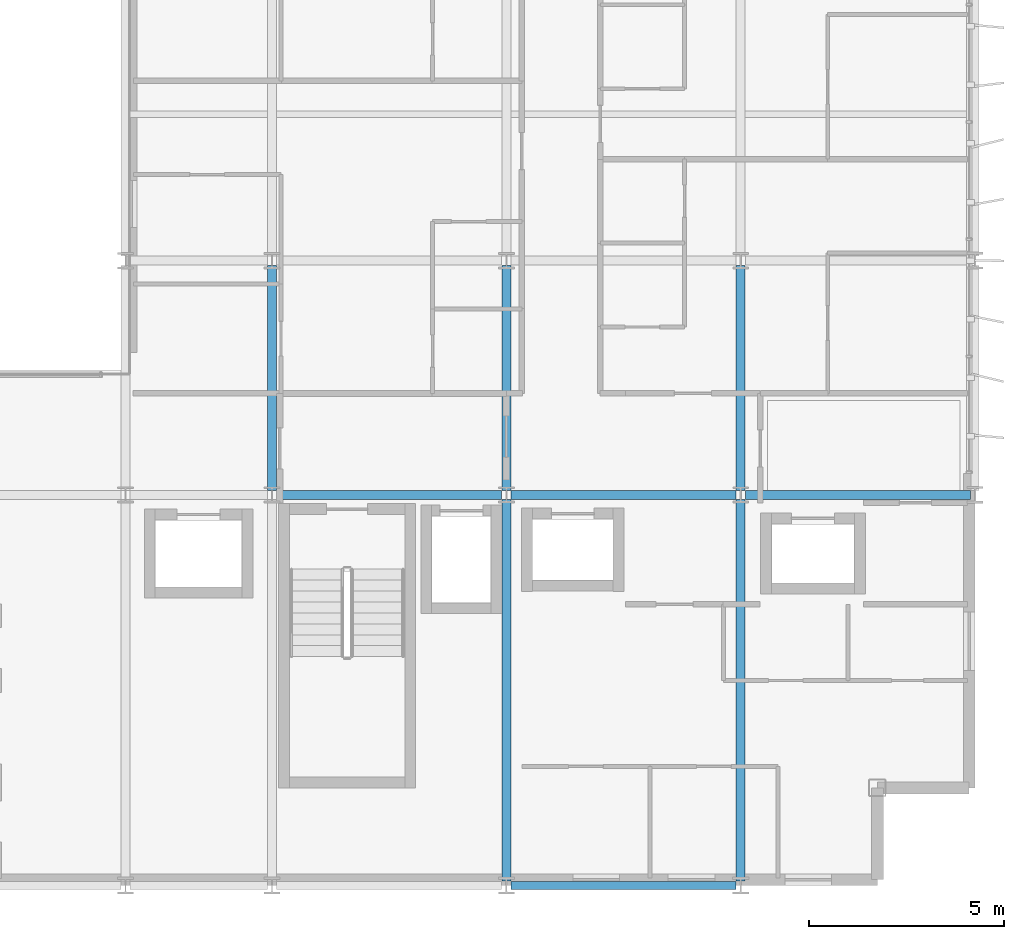
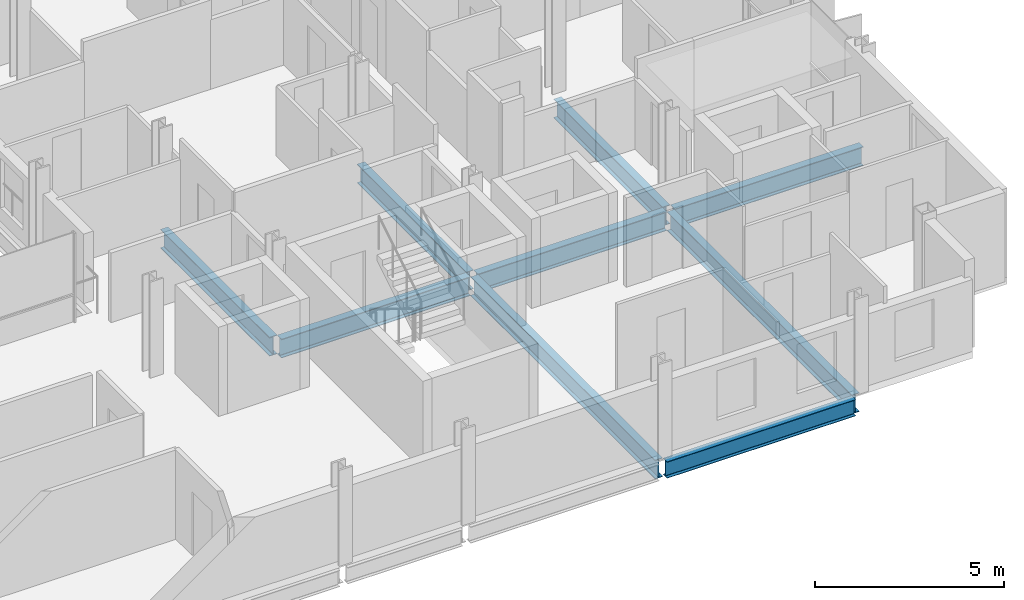
# One storey, part 14 of 38: 9 beams.
"""IFC4 building model written with IfcOpenShell, lengths in metres."""

from ifc_helpers import new_model, si_unit, direction, frame, origin, origin_2d, place, context, subcontext, project, spatial, i_section, extrude, material, material_profile, profile_set, type_object, element, save


model = new_model("IFC4")

# Units and contexts
model_context = context("Model", 3, precision=1e-05, world=origin(), true_north=direction((0.0, 1.0)))
body_context = subcontext(model_context, "Body", "Model", "MODEL_VIEW")
ifc_project = project(units=[si_unit("LENGTHUNIT", "METRE"), si_unit("AREAUNIT", "SQUARE_METRE"), si_unit("VOLUMEUNIT", "CUBIC_METRE"), si_unit("PLANEANGLEUNIT", "RADIAN"), si_unit("MASSUNIT", "GRAM", prefix="KILO")], contexts=[model_context])

# Site, building, storey
site_placement = place(None, origin())
site = spatial("IfcSite", under=ifc_project, at=site_placement, CompositionType="ELEMENT")
building_placement = place(site_placement, origin())
building = spatial("IfcBuilding", under=site, at=building_placement, Name="Brevholm Reach", CompositionType="ELEMENT")
storey_placement = place(building_placement, frame((0.0, 0.0, 122.10009765625)))
storey = spatial("IfcBuildingStorey", under=building, at=storey_placement, Name="L36", CompositionType="ELEMENT", Elevation=122.10009765625)

# Beams
ifc_material_1 = material(Name="Structural Steel S355J2", Category="steel")
ifc_material_profile_1 = material_profile(ifc_material_1, i_section(OverallWidth=0.209228515625, OverallDepth=0.533203125, WebThickness=0.010009765625, FlangeThickness=0.015625, FilletRadius=0.0126953125, at=origin_2d()), Name="UKB 533x210x92")
ifc_profile_set_1 = profile_set([ifc_material_profile_1], Name="Structural Steel S355J2")
beam_type_1 = type_object("IfcBeamType", Name="BM-SP533", PredefinedType="SPANDREL", material=ifc_profile_set_1)
beam_1_placement = place(storey_placement, frame((48.1201171875, 0.0, -0.486572265625), z_axis=(1.0, 0.0, 0.0), x_axis=(0.0, 1.0, 0.0)))
element("IfcBeam", 1, at=beam_1_placement, inside=storey, type_object=beam_type_1, Name="L36 SP-02 Framing Beam", PredefinedType="SPANDREL", context=body_context, shape_type="SweptSolid", body=[
    extrude(i_section(OverallWidth=0.209228515625, OverallDepth=0.533203125, WebThickness=0.010009765625, FlangeThickness=0.015625, FilletRadius=0.0126953125, at=origin_2d()), origin(), (0.0, 0.0, 1.0), 5.759765625),
])
ifc_material_2 = material(Name="Structural Steel S355J2", Category="steel")
ifc_material_profile_2 = material_profile(ifc_material_2, i_section(OverallWidth=0.22900390625, OverallDepth=0.6123046875, WebThickness=0.011962890625, FlangeThickness=0.01953125, FilletRadius=0.0126953125, at=origin_2d()), Name="UKB 610x229x125")
ifc_profile_set_2 = profile_set([ifc_material_profile_2], Name="Structural Steel S355J2")
beam_type_2 = type_object("IfcBeamType", Name="BM-SP610", PredefinedType="SPANDREL", material=ifc_profile_set_2)
for number, where, z_axis, x_axis, name in (
    (2, (42.1201171875, 10.0, -0.526123046875), (1.0, 0.0, 0.0), (0.0, 1.0, 0.0), "L36 SP-01 Framing Beam"),
    (3, (48.1201171875, 10.0, -0.526123046875), (1.0, 0.0, 0.0), (0.0, 1.0, 0.0), "L36 SP-01 Framing Beam"),
    (4, (54.1201171875, 10.0, -0.526123046875), (1.0, 0.0, 0.0), (0.0, 1.0, 0.0), "L36 SP-01 Framing Beam"),
    (5, (42.0, 10.1201171875, -0.526123046875), (0.0, 1.0, 0.0), (-1.0, 0.0, 0.0), "L36 SP-01 Framing Beam"),
):
    element("IfcBeam", number, at=place(storey_placement, frame(where, z_axis=z_axis, x_axis=x_axis)), inside=storey, type_object=beam_type_2, Name=name, PredefinedType="SPANDREL", context=body_context, shape_type="SweptSolid", body=[
        extrude(i_section(OverallWidth=0.22900390625, OverallDepth=0.6123046875, WebThickness=0.011962890625, FlangeThickness=0.01953125, FilletRadius=0.0126953125, at=origin_2d()), origin(), (0.0, 0.0, 1.0), 5.759765625),
    ])
beam_2_placement = place(storey_placement, frame((48.0, 0.1201171875, -0.526123046875), z_axis=(0.0, 1.0, 0.0), x_axis=(-1.0, 0.0, 0.0)))
element("IfcBeam", 6, at=beam_2_placement, inside=storey, type_object=beam_type_2, Name="L36 SP-01 Framing Beam", PredefinedType="SPANDREL", context=body_context, shape_type="SweptSolid", body=[
    extrude(i_section(OverallWidth=0.22900390625, OverallDepth=0.6123046875, WebThickness=0.011962890625, FlangeThickness=0.01953125, FilletRadius=0.0126953125, at=origin_2d()), origin(), (0.0, 0.0, 1.0), 9.759765625),
])
beam_3_placement = place(storey_placement, frame((48.0, 10.1201171875, -0.526123046875), z_axis=(0.0, 1.0, 0.0), x_axis=(-1.0, 0.0, 0.0)))
element("IfcBeam", 7, at=beam_3_placement, inside=storey, type_object=beam_type_2, Name="L36 SP-01 Framing Beam", PredefinedType="SPANDREL", context=body_context, shape_type="SweptSolid", body=[
    extrude(i_section(OverallWidth=0.22900390625, OverallDepth=0.6123046875, WebThickness=0.011962890625, FlangeThickness=0.01953125, FilletRadius=0.0126953125, at=origin_2d()), origin(), (0.0, 0.0, 1.0), 5.759765625),
])
beam_4_placement = place(storey_placement, frame((54.0, 0.1201171875, -0.526123046875), z_axis=(0.0, 1.0, 0.0), x_axis=(-1.0, 0.0, 0.0)))
element("IfcBeam", 8, at=beam_4_placement, inside=storey, type_object=beam_type_2, Name="L36 SP-01 Framing Beam", PredefinedType="SPANDREL", context=body_context, shape_type="SweptSolid", body=[
    extrude(i_section(OverallWidth=0.22900390625, OverallDepth=0.6123046875, WebThickness=0.011962890625, FlangeThickness=0.01953125, FilletRadius=0.0126953125, at=origin_2d()), origin(), (0.0, 0.0, 1.0), 9.759765625),
])
beam_5_placement = place(storey_placement, frame((54.0, 10.1201171875, -0.526123046875), z_axis=(0.0, 1.0, 0.0), x_axis=(-1.0, 0.0, 0.0)))
element("IfcBeam", 9, at=beam_5_placement, inside=storey, type_object=beam_type_2, Name="L36 SP-01 Framing Beam", PredefinedType="SPANDREL", context=body_context, shape_type="SweptSolid", body=[
    extrude(i_section(OverallWidth=0.22900390625, OverallDepth=0.6123046875, WebThickness=0.011962890625, FlangeThickness=0.01953125, FilletRadius=0.0126953125, at=origin_2d()), origin(), (0.0, 0.0, 1.0), 5.759765625),
])

save(model, "model.ifc")
